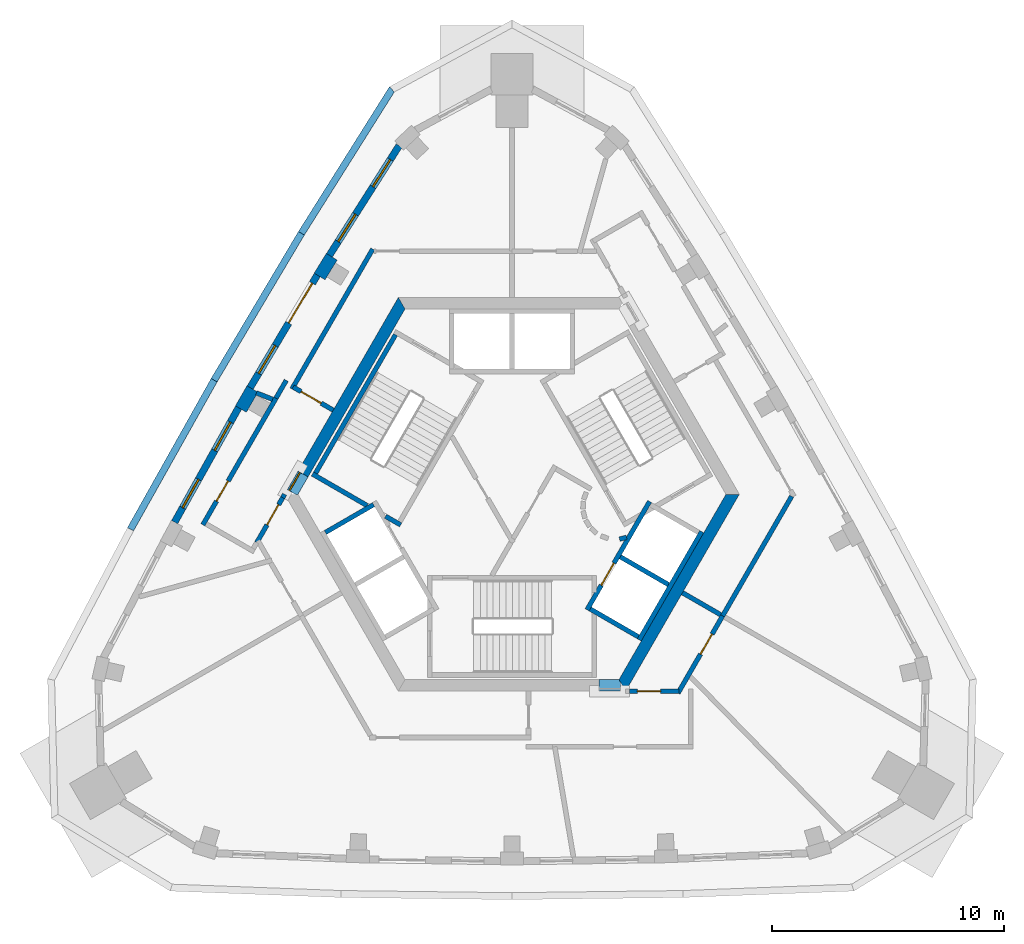
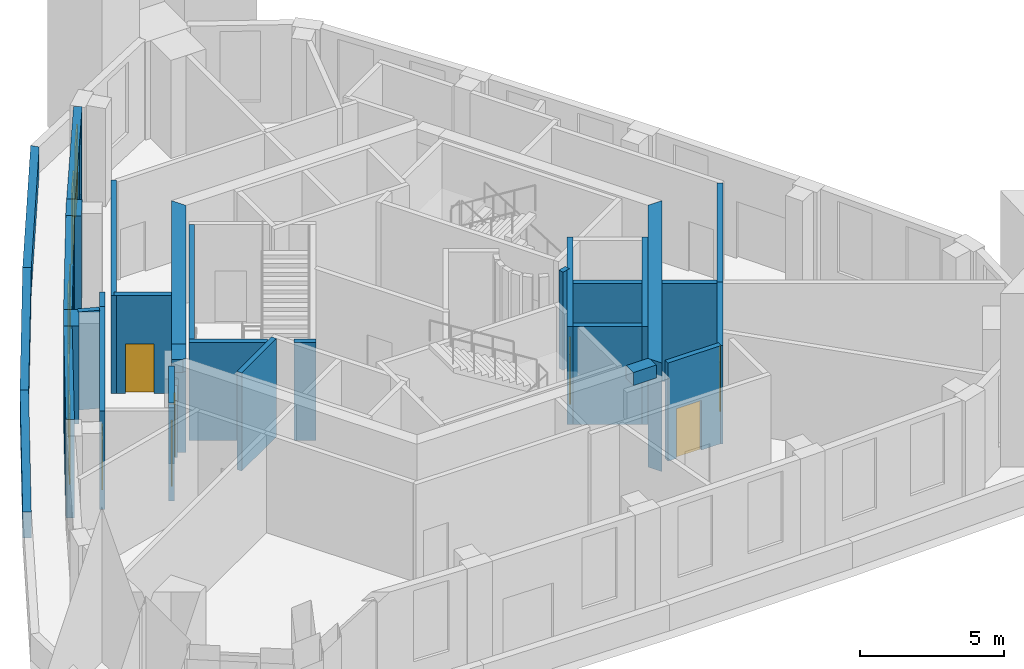
# One storey, part 3 of 7: 33 walls, 8 doors, 5 windows, 13 openings.
"""IFC4 building model written with IfcOpenShell, lengths in metres."""

import ifcopenshell
import ifcopenshell.guid

model = None  # the IFC model being written
_history = None  # IfcOwnerHistory: only IFC2X3 demands one
_inside = {}  # id of a spatial element -> (the spatial element, [elements in it])
_under = {}  # id of a project, library or spatial element -> (it, [spatial elements below it])
_declared = {}  # id of a project -> (the project, [libraries it declares])
_typed = {}  # id of a type object -> (the type object, [elements of that type])
_made_of = {}  # id of a material, layer set ... -> (it, [elements and type objects made of it])


def new_model(schema):
    """Start an empty IFC model of exactly this schema.

    Asked for "IFC4X3", IfcOpenShell would pick the latest addendum, in which some entities
    have other attributes; the version numbers below select the first issue.
    IFC2X3 requires an IfcOwnerHistory on every rooted entity: one is made here for all.
    """
    global model, _history
    if schema == "IFC4X3":
        model = ifcopenshell.file(schema_version=(4, 3, 0, 0))
    else:
        model = ifcopenshell.file(schema=schema)
    _inside.clear()
    _under.clear()
    _declared.clear()
    _typed.clear()
    _made_of.clear()
    _history = None
    if model.schema == "IFC2X3":
        org = make("IfcOrganization", Name="unknown")
        user = make(
            "IfcPersonAndOrganization",
            ThePerson=make("IfcPerson", FamilyName="unknown"),
            TheOrganization=org,
        )
        app = make(
            "IfcApplication",
            ApplicationDeveloper=org,
            Version="unknown",
            ApplicationFullName="unknown",
            ApplicationIdentifier="unknown",
        )
        _history = make(
            "IfcOwnerHistory",
            OwningUser=user,
            OwningApplication=app,
            ChangeAction="ADDED",
            CreationDate=0,
        )
    return model


def make(cls, **values):
    """One entity of the class cls with the attributes given. An attribute that is None is left unset."""
    return model.create_entity(
        cls, **{name: value for name, value in values.items() if value is not None}
    )


def rooted(cls, **values):
    """An entity with a GlobalId (a new one), such as an element, a storey or a relation."""
    return make(cls, GlobalId=ifcopenshell.guid.new(), OwnerHistory=_history, **values)


def si_unit(unit_type, name, prefix=None):
    """IfcSIUnit, for example si_unit("LENGTHUNIT", "METRE", prefix="MILLI")."""
    return make("IfcSIUnit", UnitType=unit_type, Prefix=prefix, Name=name)


def assignment(units):
    """IfcUnitAssignment: the units of a project."""
    return None if units is None else make("IfcUnitAssignment", Units=units)


def point(xyz):
    """IfcCartesianPoint."""
    return None if xyz is None else make("IfcCartesianPoint", Coordinates=xyz)


def direction(xyz):
    """IfcDirection."""
    return None if xyz is None else make("IfcDirection", DirectionRatios=xyz)


def frame(location, z_axis=None, x_axis=None):
    """IfcAxis2Placement3D, a coordinate frame: its origin and axes. An axis left out is left unset."""
    return make(
        "IfcAxis2Placement3D",
        Location=point(location),
        Axis=direction(z_axis),
        RefDirection=direction(x_axis),
    )


def frame_2d(location, x_axis=None):
    """IfcAxis2Placement2D, a coordinate frame in the plane: its origin and x axis."""
    return make(
        "IfcAxis2Placement2D", Location=point(location), RefDirection=direction(x_axis)
    )


def origin():
    """The frame at (0, 0, 0) with its axes left unset."""
    return frame((0.0, 0.0, 0.0))


def place(relative_to, where):
    """IfcLocalPlacement: puts the frame where relative to a parent placement (None: the world)."""
    return make(
        "IfcLocalPlacement", PlacementRelTo=relative_to, RelativePlacement=where
    )


def context(
    kind, dimensions, precision=None, world=None, true_north=None, identifier=None
):
    """IfcGeometricRepresentationContext, for example the 3D "Model" context."""
    return make(
        "IfcGeometricRepresentationContext",
        ContextIdentifier=identifier,
        ContextType=kind,
        CoordinateSpaceDimension=dimensions,
        Precision=precision,
        WorldCoordinateSystem=world,
        TrueNorth=true_north,
    )


def subcontext(parent, identifier, kind, view, scale=None):
    """IfcGeometricRepresentationSubContext, for example "Body" below "Model"."""
    return make(
        "IfcGeometricRepresentationSubContext",
        ContextIdentifier=identifier,
        ContextType=kind,
        ParentContext=parent,
        TargetScale=scale,
        TargetView=view,
    )


def project(units=None, contexts=None):
    """IfcProject with its units and contexts."""
    return rooted(
        "IfcProject",
        Name="project",
        RepresentationContexts=contexts,
        UnitsInContext=assignment(units),
    )


def spatial(cls, under=None, at=None, **own):
    """A site, building, storey or space (cls), placed at a placement, below another one or the project."""
    s = rooted(cls, ObjectPlacement=at, **own)
    if under is not None:
        _under.setdefault(under.id(), (under, []))[1].append(s)
    return s


def polyline(points):
    """IfcPolyline through the points."""
    return make("IfcPolyline", Points=[point(p) for p in points])


def profile(cls, at=None, kind="AREA", **sizes):
    """A parametric profile (cls). Its sizes go by their IFC names, for example OverallWidth=200.0."""
    return make(cls, ProfileType=kind, Position=at, **sizes)


def rectangle(**sizes):
    """IfcRectangleProfileDef."""
    return profile("IfcRectangleProfileDef", **sizes)


def outline(outer, holes=None, kind="AREA"):
    """IfcArbitraryClosedProfileDef: a profile drawn as a closed curve; with holes, ...WithVoids."""
    if holes is None:
        return make("IfcArbitraryClosedProfileDef", ProfileType=kind, OuterCurve=outer)
    return make(
        "IfcArbitraryProfileDefWithVoids",
        ProfileType=kind,
        OuterCurve=outer,
        InnerCurves=holes,
    )


def extrude(swept, where, along, depth):
    """IfcExtrudedAreaSolid: the profile swept, set in the frame where, extruded along a direction by depth."""
    return make(
        "IfcExtrudedAreaSolid",
        SweptArea=swept,
        Position=where,
        ExtrudedDirection=direction(along),
        Depth=depth,
    )


def shape(context_of_items, identifier, shape_type, items):
    """IfcShapeRepresentation: the items that make up one representation, for example the "Body"."""
    return make(
        "IfcShapeRepresentation",
        ContextOfItems=context_of_items,
        RepresentationIdentifier=identifier,
        RepresentationType=shape_type,
        Items=items,
    )


def material(Name=None, Category=None):
    """IfcMaterial."""
    return make("IfcMaterial", Name=Name, Category=Category)


def layer(
    of_material, thickness, ventilated=None, Name=None, Category=None, Priority=None
):
    """IfcMaterialLayer: one layer of a wall or slab, of a material (None: an air gap)."""
    return make(
        "IfcMaterialLayer",
        Material=of_material,
        LayerThickness=thickness,
        IsVentilated=ventilated,
        Name=Name,
        Category=Category,
        Priority=Priority,
    )


def layer_set(layers, Name=None):
    """IfcMaterialLayerSet."""
    return make("IfcMaterialLayerSet", MaterialLayers=layers, LayerSetName=Name)


def made_of(thing, what):
    """Note that an element or type object is made of a material, layer set ...; save() writes the relation."""
    if what is not None:
        _made_of.setdefault(what.id(), (what, []))[1].append(thing)
    return thing


def type_object(cls, material=None, **own):
    """A type object (cls), such as IfcWallType, which elements share."""
    return made_of(rooted(cls, **own), material)


def element(
    cls,
    number,
    at=None,
    inside=None,
    cuts=None,
    type_object=None,
    material=None,
    context=None,
    identifier="Body",
    shape_type=None,
    held_by="IfcProductDefinitionShape",
    body=None,
    shapes=None,
    **own,
):
    """One element of the class cls, such as IfcWall. Its Tag is "e" and its number.

    at: its placement. inside: the storey or other place that contains it. cuts: it is an
    opening in that element (IfcRelVoidsElement). A single representation is given by context,
    identifier, shape_type and body (its items); several are given by shapes. held_by: the class
    of the entity that holds the representations. save() writes the other relations.
    """
    e = rooted(cls, Tag="e%d" % number, ObjectPlacement=at, **own)
    if body is not None:
        shapes = [shape(context, identifier, shape_type, body)]
    if shapes is not None:
        e.Representation = make(held_by, Representations=shapes)
    if inside is not None:
        _inside.setdefault(inside.id(), (inside, []))[1].append(e)
    if cuts is not None:
        rooted(
            "IfcRelVoidsElement", RelatingBuildingElement=cuts, RelatedOpeningElement=e
        )
    if type_object is not None:
        _typed.setdefault(type_object.id(), (type_object, []))[1].append(e)
    return made_of(e, material)


def fill(opening, filler):
    """IfcRelFillsElement: the door or window that sits in an opening."""
    return rooted(
        "IfcRelFillsElement",
        RelatingOpeningElement=opening,
        RelatedBuildingElement=filler,
    )


def aggregate(whole, parts):
    """IfcRelAggregates: a whole, such as a stair, and the parts it consists of."""
    return rooted("IfcRelAggregates", RelatingObject=whole, RelatedObjects=parts)


def save(model, path):
    """Write the relations noted so far, then the file.

    IfcRelAggregates (storeys below a building ...), IfcRelContainedInSpatialStructure (elements
    in a storey), IfcRelDefinesByType, IfcRelAssociatesMaterial and IfcRelDeclares: one each for
    every whole, place, type object, material and project.
    """
    for whole, parts in _under.values():
        aggregate(whole, parts)
    for where, things in _inside.values():
        rooted(
            "IfcRelContainedInSpatialStructure",
            RelatedElements=things,
            RelatingStructure=where,
        )
    for kind, things in _typed.values():
        rooted("IfcRelDefinesByType", RelatedObjects=things, RelatingType=kind)
    for what, things in _made_of.values():
        rooted("IfcRelAssociatesMaterial", RelatedObjects=things, RelatingMaterial=what)
    for by, libraries in _declared.values():
        rooted("IfcRelDeclares", RelatingContext=by, RelatedDefinitions=libraries)
    model.write(path)


model = new_model("IFC4")

# Units and contexts
model_context = context("Model", 3, precision=1e-05, world=origin(), true_north=direction((0.0, 1.0)))
body_context = subcontext(model_context, "Body", "Model", "MODEL_VIEW")
ifc_project = project(units=[si_unit("LENGTHUNIT", "METRE"), si_unit("AREAUNIT", "SQUARE_METRE"), si_unit("VOLUMEUNIT", "CUBIC_METRE"), si_unit("PLANEANGLEUNIT", "RADIAN"), si_unit("MASSUNIT", "GRAM", prefix="KILO")], contexts=[model_context])

# Site, building, storey
site_placement = place(None, origin())
site = spatial("IfcSite", under=ifc_project, at=site_placement, CompositionType="ELEMENT")
building_placement = place(site_placement, origin())
building = spatial("IfcBuilding", under=site, at=building_placement, Name="Entoto Arch Interchange Tower", CompositionType="ELEMENT")
storey_placement = place(building_placement, frame((0.0, 0.0, 349.39990234375)))
storey = spatial("IfcBuildingStorey", under=building, at=storey_placement, Name="L82", CompositionType="ELEMENT", Elevation=349.39990234375)

# Wall, opening, door
ifc_material_1 = material(Name="Reinforced concrete C40/50", Category="concrete")
ifc_layer_1 = layer(ifc_material_1, 0.199951171875)
ifc_layer_set_1 = layer_set([ifc_layer_1], Name="Reinforced concrete C40/50")
wall_type_1 = type_object("IfcWallType", Name="CORE GAP INFILL WALL", PredefinedType="PARTITIONING", material=ifc_layer_set_1)
wall_1_placement = place(storey_placement, frame((-9.14990234375, 3.451904296875, 0.0), z_axis=(0.0, 0.0, 1.0), x_axis=(-0.500079945886, -0.865979242085, 0.0)))
wall_1 = element("IfcWall", 1, at=wall_1_placement, inside=storey, type_object=wall_type_1, Name="wall:L82:gap3", PredefinedType="PARTITIONING", context=body_context, shape_type="SweptSolid", body=[
    extrude(rectangle(XDim=0.926025390625, YDim=0.199951171875, at=frame_2d((0.462890625, 0.0))), origin(), (0.0, 0.0, 1.0), 2.400146484375),
])
opening_1_placement = place(wall_1_placement, frame((0.01708984375, 0.0, 0.0)))
opening_1 = element("IfcOpeningElement", 2, at=opening_1_placement, cuts=wall_1, Name="Opening L82-D93", PredefinedType="OPENING", context=body_context, shape_type="SweptSolid", body=[
    extrude(rectangle(XDim=0.89990234375, YDim=2.10009765625, at=frame_2d((0.449951171875, 1.050048828125))), frame((0.0, 0.10986328125, 0.0), z_axis=(0.0, -1.0, 0.0), x_axis=(1.0, 0.0, 0.0)), (0.0, 0.0, 1.0), 0.219970703125),
])
ifc_material_2 = material(Name="Fire-rated Steel S235 door and frame", Category="steel")
door_type_1 = type_object("IfcDoorType", Name="DOOR FD-09 900x2100", OperationType="SINGLE_SWING_LEFT", PredefinedType="DOOR", material=ifc_material_2)
door_1_placement = place(opening_1_placement, origin())
door_1 = element("IfcDoor", 3, at=door_1_placement, inside=storey, type_object=door_type_1, Name="door:L82:gap3", OperationType="SINGLE_SWING_LEFT", OverallHeight=2.10009765625, OverallWidth=0.89990234375, PredefinedType="DOOR", context=body_context, shape_type="SweptSolid", body=[
    extrude(rectangle(XDim=0.89990234375, YDim=2.10009765625, at=frame_2d((0.449951171875, 1.050048828125))), frame((0.0, 0.02490234375, 0.0), z_axis=(0.0, -1.0, 0.0), x_axis=(1.0, 0.0, 0.0)), (0.0, 0.0, 1.0), 0.050048828125),
])
fill(opening_1, door_1)

# Walls
ifc_material_3 = material(Name="Concrete C40/50", Category="concrete")
ifc_layer_2 = layer(ifc_material_3, 0.5)
ifc_layer_set_2 = layer_set([ifc_layer_2], Name="Concrete C40/50")
wall_type_2 = type_object("IfcWallType", Name="Core wall 500 C40/50", PredefinedType="SHEAR", material=ifc_layer_set_2)
wall_2_placement = place(storey_placement, frame((0.0, 0.0, -0.449951171875)))
element("IfcWall", 4, at=wall_2_placement, inside=storey, type_object=wall_type_2, Name="Core wall NW L82", PredefinedType="SHEAR", context=body_context, shape_type="SweptSolid", body=[
    extrude(outline(polyline([(-9.236083984375, 3.501953125), (-8.802978515625, 3.2529296875), (-4.618896484375, 10.5), (-4.906982421875, 11.0), (-9.236083984375, 3.501953125)])), origin(), (0.0, 0.0, 1.0), 4.60009765625),
])
wall_3_placement = place(storey_placement, frame((0.0, 0.0, 3.60009765625)))
element("IfcWall", 5, at=wall_3_placement, inside=storey, type_object=wall_type_2, Name="Core wall lintel NW L82", PredefinedType="SHEAR", context=body_context, shape_type="SweptSolid", body=[
    extrude(outline(polyline([(-9.699951171875, 2.699951171875), (-9.35400390625, 2.5), (-9.238037109375, 2.5), (-8.802978515625, 3.2529296875), (-9.236083984375, 3.501953125), (-9.699951171875, 2.699951171875)])), origin(), (0.0, 0.0, 1.0), 0.550048828125),
])
wall_4_placement = place(storey_placement, frame((0.0, 0.0, 3.60009765625)))
element("IfcWall", 6, at=wall_4_placement, inside=storey, type_object=wall_type_2, Name="Core wall lintel S L82", PredefinedType="SHEAR", context=body_context, shape_type="SweptSolid", body=[
    extrude(outline(polyline([(4.676025390625, -6.0), (4.676025390625, -5.60009765625), (4.618896484375, -5.5), (3.75, -5.5), (3.75, -6.0), (4.676025390625, -6.0)])), origin(), (0.0, 0.0, 1.0), 0.550048828125),
])
wall_5_placement = place(storey_placement, frame((0.0, 0.0, -0.449951171875)))
element("IfcWall", 7, at=wall_5_placement, inside=storey, type_object=wall_type_2, Name="Core wall SE L82", PredefinedType="SHEAR", context=body_context, shape_type="SweptSolid", body=[
    extrude(outline(polyline([(4.906982421875, -6.0), (9.81494140625, 2.5), (9.238037109375, 2.5), (4.618896484375, -5.5), (4.906982421875, -6.0)])), origin(), (0.0, 0.0, 1.0), 4.60009765625),
])
ifc_layer_3 = layer(ifc_material_3, 0.199951171875)
ifc_layer_set_3 = layer_set([ifc_layer_3], Name="Concrete C40/50")
wall_type_3 = type_object("IfcWallType", Name="LIFT SHAFT WALL 200", PredefinedType="STANDARD", material=ifc_layer_set_3)
wall_6_placement = place(storey_placement, frame((-5.97705078125, 2.052001953125, 0.0), z_axis=(0.0, 0.0, 1.0), x_axis=(-0.865973769406, -0.500089422704, 0.0)))
element("IfcWall", 8, at=wall_6_placement, inside=storey, type_object=wall_type_3, Name="Shaft wall SW1 cross 1", PredefinedType="STANDARD", context=body_context, shape_type="SweptSolid", body=[
    extrude(rectangle(XDim=2.3994140625, YDim=0.199951171875, at=frame_2d((1.19970703125, 0.0))), origin(), (0.0, 0.0, 1.0), 4.150146484375),
])

# Wall, opening, door
wall_7_placement = place(storey_placement, frame((3.239990234375, -2.488037109375, 0.0), z_axis=(0.0, 0.0, 1.0), x_axis=(0.500034260056, 0.866005622828, 0.0)))
wall_7 = element("IfcWall", 9, at=wall_7_placement, inside=storey, type_object=wall_type_3, Name="Shaft wall SE1 front", PredefinedType="STANDARD", context=body_context, shape_type="SweptSolid", body=[
    extrude(rectangle(XDim=5.3994140625, YDim=0.199951171875, at=frame_2d((2.69970703125, 0.0))), origin(), (0.0, 0.0, 1.0), 4.150146484375),
])
opening_2_placement = place(wall_7_placement, frame((1.22509765625, 0.0, 0.0)))
opening_2 = element("IfcOpeningElement", 10, at=opening_2_placement, cuts=wall_7, Name="Opening LD-FF1-L82", PredefinedType="OPENING", context=body_context, shape_type="SweptSolid", body=[
    extrude(rectangle(XDim=1.10009765625, YDim=2.10009765625, at=frame_2d((0.550048828125, 1.050048828125))), frame((0.0, 0.10986328125, 0.0), z_axis=(0.0, -1.0, 0.0), x_axis=(1.0, 0.0, 0.0)), (0.0, 0.0, 1.0), 0.219970703125),
])
ifc_material_4 = material(Name="Stainless steel 1.4301 panels", Category="steel")
door_type_2 = type_object("IfcDoorType", Name="LIFT LANDING DOOR LD1 1100x2100", OperationType="SLIDING_TO_LEFT", PredefinedType="DOOR", material=ifc_material_4)
door_2_placement = place(opening_2_placement, origin())
door_2 = element("IfcDoor", 11, at=door_2_placement, inside=storey, type_object=door_type_2, Name="Lift landing door FF1 L82", OperationType="SLIDING_TO_LEFT", OverallHeight=2.10009765625, OverallWidth=1.10009765625, PredefinedType="DOOR", context=body_context, shape_type="SweptSolid", body=[
    extrude(rectangle(XDim=1.10009765625, YDim=2.10009765625, at=frame_2d((0.550048828125, 1.050048828125))), frame((0.0, 0.02490234375, 0.0), z_axis=(0.0, -1.0, 0.0), x_axis=(1.0, 0.0, 0.0)), (0.0, 0.0, 1.0), 0.050048828125),
])
fill(opening_2, door_2)

# Walls
wall_8_placement = place(storey_placement, frame((5.491943359375, -3.7880859375, 0.0), z_axis=(0.0, 0.0, 1.0), x_axis=(0.500034260056, 0.866005622828, 0.0)))
element("IfcWall", 12, at=wall_8_placement, inside=storey, type_object=wall_type_3, Name="Shaft wall SE1 back", PredefinedType="STANDARD", context=body_context, shape_type="SweptSolid", body=[
    extrude(rectangle(XDim=5.3994140625, YDim=0.199951171875, at=frame_2d((2.69970703125, 0.0))), origin(), (0.0, 0.0, 1.0), 4.150146484375),
])
wall_9_placement = place(storey_placement, frame((3.376953125, -2.451904296875, 0.0), z_axis=(0.0, 0.0, 1.0), x_axis=(0.865955154139, -0.50012165622, 0.0)))
element("IfcWall", 13, at=wall_9_placement, inside=storey, type_object=wall_type_3, Name="Shaft wall SE1 cross 1", PredefinedType="STANDARD", context=body_context, shape_type="SweptSolid", body=[
    extrude(rectangle(XDim=2.39990234375, YDim=0.199951171875, at=frame_2d((1.199951171875, 0.0))), origin(), (0.0, 0.0, 1.0), 4.150146484375),
])
wall_10_placement = place(storey_placement, frame((4.677001953125, -0.199951171875, 0.0), z_axis=(0.0, 0.0, 1.0), x_axis=(0.865973769406, -0.500089422704, 0.0)))
element("IfcWall", 14, at=wall_10_placement, inside=storey, type_object=wall_type_3, Name="Shaft wall SE1 cross 2", PredefinedType="STANDARD", context=body_context, shape_type="SweptSolid", body=[
    extrude(rectangle(XDim=2.3994140625, YDim=0.199951171875, at=frame_2d((1.19970703125, 0.0))), origin(), (0.0, 0.0, 1.0), 4.150146484375),
])
ifc_material_5 = material(Name="Board-marked precast concrete C50/60", Category="concrete")
ifc_layer_4 = layer(ifc_material_5, 0.300048828125)
ifc_layer_set_4 = layer_set([ifc_layer_4], Name="Board-marked precast concrete C50/60")
wall_type_4 = type_object("IfcWallType", Name="PARAPET PRECAST 300", PredefinedType="PARAPET", material=ifc_layer_set_4)
wall_11_placement = place(storey_placement, origin())
element("IfcWall", 15, at=wall_11_placement, inside=storey, type_object=wall_type_4, Name="Setback roof parapet L82 13", PredefinedType="PARAPET", context=body_context, shape_type="SweptSolid", body=[
    extrude(outline(polyline([(-5.291015625, 20.094970703125), (-9.219970703125, 13.845947265625), (-8.964111328125, 13.68994140625), (-5.0791015625, 19.868896484375), (-5.291015625, 20.094970703125)])), origin(), (0.0, 0.0, 1.0), 1.10009765625),
])
wall_12_placement = place(storey_placement, origin())
element("IfcWall", 16, at=wall_12_placement, inside=storey, type_object=wall_type_4, Name="Setback roof parapet L82 14", PredefinedType="PARAPET", context=body_context, shape_type="SweptSolid", body=[
    extrude(outline(polyline([(-9.219970703125, 13.845947265625), (-12.989990234375, 7.5), (-12.72998046875, 7.35009765625), (-8.964111328125, 13.68994140625), (-9.219970703125, 13.845947265625)])), origin(), (0.0, 0.0, 1.0), 1.10009765625),
])
wall_13_placement = place(storey_placement, origin())
element("IfcWall", 17, at=wall_13_placement, inside=storey, type_object=wall_type_4, Name="Setback roof parapet L82 15", PredefinedType="PARAPET", context=body_context, shape_type="SweptSolid", body=[
    extrude(outline(polyline([(-12.989990234375, 7.5), (-16.60107421875, 1.06201171875), (-16.337890625, 0.9189453125), (-12.72998046875, 7.35009765625), (-12.989990234375, 7.5)])), origin(), (0.0, 0.0, 1.0), 1.10009765625),
])
ifc_material_6 = material(Name="Gypsum board partition on steel studs", Category="steel")
ifc_layer_5 = layer(ifc_material_6, 0.199951171875)
ifc_layer_set_5 = layer_set([ifc_layer_5], Name="Gypsum board partition on steel studs")
wall_type_5 = type_object("IfcWallType", Name="PARTITION 200", PredefinedType="PARTITIONING", material=ifc_layer_set_5)
wall_14_placement = place(storey_placement, frame((4.64404296875, 0.56396484375, 0.0), z_axis=(0.0, 0.0, 1.0), x_axis=(0.970004408322, 0.243087325534, 0.0)))
element("IfcWall", 18, at=wall_14_placement, inside=storey, type_object=wall_type_5, Name="wall:L82:p009", PredefinedType="PARTITIONING", context=body_context, shape_type="SweptSolid", body=[
    extrude(rectangle(XDim=0.312255859375, YDim=0.199951171875, at=frame_2d((0.15625, 0.0))), origin(), (0.0, 0.0, 1.0), 4.150146484375),
])

# Wall, opening, door
wall_15_placement = place(storey_placement, frame((9.093017578125, -2.75, 0.0), z_axis=(0.0, 0.0, 1.0), x_axis=(-0.500084415177, -0.865976661173, 0.0)))
wall_15 = element("IfcWall", 19, at=wall_15_placement, inside=storey, type_object=wall_type_5, Name="wall:L82:p020", PredefinedType="PARTITIONING", context=body_context, shape_type="SweptSolid", body=[
    extrude(rectangle(XDim=3.853271484375, YDim=0.199951171875, at=frame_2d((1.9267578125, 0.0))), origin(), (0.0, 0.0, 1.0), 4.150146484375),
])
opening_3_placement = place(wall_15_placement, frame((0.908935546875, 0.0, 0.0)))
opening_3 = element("IfcOpeningElement", 20, at=opening_3_placement, cuts=wall_15, Name="Opening L82-D05", PredefinedType="OPENING", context=body_context, shape_type="SweptSolid", body=[
    extrude(rectangle(XDim=1.0, YDim=2.10009765625, at=frame_2d((0.5, 1.050048828125))), frame((0.0, 0.10986328125, 0.0), z_axis=(0.0, -1.0, 0.0), x_axis=(1.0, 0.0, 0.0)), (0.0, 0.0, 1.0), 0.219970703125),
])
door_type_3 = type_object("IfcDoorType", Name="DOOR FD-10 1000x2100", OperationType="SINGLE_SWING_LEFT", PredefinedType="DOOR", material=ifc_material_2)
door_3_placement = place(opening_3_placement, origin())
door_3 = element("IfcDoor", 21, at=door_3_placement, inside=storey, type_object=door_type_3, Name="door:L82:05", OperationType="SINGLE_SWING_LEFT", OverallHeight=2.10009765625, OverallWidth=1.0, PredefinedType="DOOR", context=body_context, shape_type="SweptSolid", body=[
    extrude(rectangle(XDim=1.0, YDim=2.10009765625, at=frame_2d((0.5, 1.050048828125))), frame((0.0, 0.02490234375, 0.0), z_axis=(0.0, -1.0, 0.0), x_axis=(1.0, 0.0, 0.0)), (0.0, 0.0, 1.0), 0.050048828125),
])
fill(opening_3, door_3)

# Walls
wall_16_placement = place(storey_placement, frame((7.361083984375, -1.75, 0.0), z_axis=(0.0, 0.0, 1.0), x_axis=(0.865980106173, -0.500078449558, 0.0)))
element("IfcWall", 22, at=wall_16_placement, inside=storey, type_object=wall_type_5, Name="wall:L82:p021", PredefinedType="PARTITIONING", context=body_context, shape_type="SweptSolid", body=[
    extrude(rectangle(XDim=1.899658203125, YDim=0.199951171875, at=frame_2d((0.94970703125, 0.0))), origin(), (0.0, 0.0, 1.0), 4.150146484375),
])
wall_17_placement = place(storey_placement, frame((12.073974609375, 2.4130859375, 0.0), z_axis=(0.0, 0.0, 1.0), x_axis=(-0.500006035293, -0.866021919278, 0.0)))
element("IfcWall", 23, at=wall_17_placement, inside=storey, type_object=wall_type_5, Name="wall:L82:p032", PredefinedType="PARTITIONING", context=body_context, shape_type="SweptSolid", body=[
    extrude(rectangle(XDim=5.9619140625, YDim=0.199951171875, at=frame_2d((2.98095703125, 0.0))), origin(), (0.0, 0.0, 1.0), 4.150146484375),
])

# Wall, opening, door
wall_18_placement = place(storey_placement, frame((-9.449951171875, 7.132080078125, 0.0), z_axis=(0.0, 0.0, 1.0), x_axis=(0.866010750942, -0.50002537861, 0.0)))
wall_18 = element("IfcWall", 24, at=wall_18_placement, inside=storey, type_object=wall_type_5, Name="wall:L82:p039", PredefinedType="PARTITIONING", context=body_context, shape_type="SweptSolid", body=[
    extrude(rectangle(XDim=2.0, YDim=0.199951171875, at=frame_2d((1.0, 0.0))), origin(), (0.0, 0.0, 1.0), 4.150146484375),
])
opening_4_placement = place(wall_18_placement, frame((0.39990234375, 0.0, 0.0)))
opening_4 = element("IfcOpeningElement", 25, at=opening_4_placement, cuts=wall_18, Name="Opening L82-D11", PredefinedType="OPENING", context=body_context, shape_type="SweptSolid", body=[
    extrude(rectangle(XDim=1.0, YDim=2.10009765625, at=frame_2d((0.5, 1.050048828125))), frame((0.0, 0.10986328125, 0.0), z_axis=(0.0, -1.0, 0.0), x_axis=(1.0, 0.0, 0.0)), (0.0, 0.0, 1.0), 0.219970703125),
])
door_4_placement = place(opening_4_placement, origin())
door_4 = element("IfcDoor", 26, at=door_4_placement, inside=storey, type_object=door_type_3, Name="door:L82:11", OperationType="SINGLE_SWING_LEFT", OverallHeight=2.10009765625, OverallWidth=1.0, PredefinedType="DOOR", context=body_context, shape_type="SweptSolid", body=[
    extrude(rectangle(XDim=1.0, YDim=2.10009765625, at=frame_2d((0.5, 1.050048828125))), frame((0.0, 0.02490234375, 0.0), z_axis=(0.0, -1.0, 0.0), x_axis=(1.0, 0.0, 0.0)), (0.0, 0.0, 1.0), 0.050048828125),
])
fill(opening_4, door_4)

# Wall
wall_19_placement = place(storey_placement, frame((-9.81494140625, 2.5, 0.0), z_axis=(0.0, 0.0, 1.0), x_axis=(-0.5004692653, -0.865754303766, 0.0)))
element("IfcWall", 27, at=wall_19_placement, inside=storey, type_object=wall_type_5, Name="wall:L82:p040", PredefinedType="PARTITIONING", context=body_context, shape_type="SweptSolid", body=[
    extrude(rectangle(XDim=0.169677734375, YDim=0.199951171875, at=frame_2d((0.0849609375, 0.0))), origin(), (0.0, 0.0, 1.0), 2.400146484375),
])

# Wall, opening, door
wall_20_placement = place(storey_placement, frame((-13.345947265625, 1.18310546875, 0.0), z_axis=(0.0, 0.0, 1.0), x_axis=(0.49998814853, 0.866032246126, 0.0)))
wall_20 = element("IfcWall", 28, at=wall_20_placement, inside=storey, type_object=wall_type_5, Name="wall:L82:p043", PredefinedType="PARTITIONING", context=body_context, shape_type="SweptSolid", body=[
    extrude(rectangle(XDim=6.310302734375, YDim=0.199951171875, at=frame_2d((3.1552734375, 0.0))), origin(), (0.0, 0.0, 1.0), 4.150146484375),
])
opening_5_placement = place(wall_20_placement, frame((1.179931640625, 0.0, 0.0)))
opening_5 = element("IfcOpeningElement", 29, at=opening_5_placement, cuts=wall_20, Name="Opening L82-D13", PredefinedType="OPENING", context=body_context, shape_type="SweptSolid", body=[
    extrude(rectangle(XDim=1.0, YDim=2.10009765625, at=frame_2d((0.5, 1.050048828125))), frame((0.0, 0.10986328125, 0.0), z_axis=(0.0, -1.0, 0.0), x_axis=(1.0, 0.0, 0.0)), (0.0, 0.0, 1.0), 0.219970703125),
])
door_5_placement = place(opening_5_placement, origin())
door_5 = element("IfcDoor", 30, at=door_5_placement, inside=storey, type_object=door_type_3, Name="door:L82:13", OperationType="SINGLE_SWING_LEFT", OverallHeight=2.10009765625, OverallWidth=1.0, PredefinedType="DOOR", context=body_context, shape_type="SweptSolid", body=[
    extrude(rectangle(XDim=1.0, YDim=2.10009765625, at=frame_2d((0.5, 1.050048828125))), frame((0.0, 0.02490234375, 0.0), z_axis=(0.0, -1.0, 0.0), x_axis=(1.0, 0.0, 0.0)), (0.0, 0.0, 1.0), 0.050048828125),
])
fill(opening_5, door_5)

# Walls
wall_21_placement = place(storey_placement, frame((-10.19091796875, 6.64794921875, 0.0), z_axis=(0.0, 0.0, 1.0), x_axis=(0.49973828311, 0.866176453382, 0.0)))
element("IfcWall", 31, at=wall_21_placement, inside=storey, type_object=wall_type_5, Name="wall:L82:p044", PredefinedType="PARTITIONING", context=body_context, shape_type="SweptSolid", body=[
    extrude(rectangle(XDim=0.89013671875, YDim=0.199951171875, at=frame_2d((0.445068359375, 0.0))), origin(), (0.0, 0.0, 1.0), 4.150146484375),
])
wall_22_placement = place(storey_placement, frame((-9.5, 7.044921875, 0.0), z_axis=(0.0, 0.0, 1.0), x_axis=(0.499966812698, 0.866044563634, 0.0)))
element("IfcWall", 32, at=wall_22_placement, inside=storey, type_object=wall_type_5, Name="wall:L82:p045", PredefinedType="PARTITIONING", context=body_context, shape_type="SweptSolid", body=[
    extrude(rectangle(XDim=6.9765625, YDim=0.199951171875, at=frame_2d((3.48828125, 0.0))), origin(), (0.0, 0.0, 1.0), 4.150146484375),
])
wall_23_placement = place(storey_placement, frame((-11.033935546875, 6.8759765625, 0.0), z_axis=(0.0, 0.0, 1.0), x_axis=(0.929345991637, -0.369210005049, 0.0)))
element("IfcWall", 33, at=wall_23_placement, inside=storey, type_object=wall_type_5, Name="wall:L82:p049", PredefinedType="PARTITIONING", context=body_context, shape_type="SweptSolid", body=[
    extrude(rectangle(XDim=0.753173828125, YDim=0.199951171875, at=frame_2d((0.37646484375, 0.0))), origin(), (0.0, 0.0, 1.0), 4.150146484375),
])

# Wall, opening, door
wall_24_placement = place(storey_placement, frame((5.075927734375, -6.0, 0.0), z_axis=(0.0, 0.0, 1.0), x_axis=(1.0, 0.0, 0.0)))
wall_24 = element("IfcWall", 34, at=wall_24_placement, inside=storey, type_object=wall_type_5, Name="wall:L82:p013", PredefinedType="PARTITIONING", context=body_context, shape_type="SweptSolid", body=[
    extrude(rectangle(XDim=2.14013671875, YDim=0.199951171875, at=frame_2d((1.070068359375, 0.0))), origin(), (0.0, 0.0, 1.0), 4.150146484375),
])
opening_6_placement = place(wall_24_placement, frame((0.3359375, 0.0, 0.0)))
opening_6 = element("IfcOpeningElement", 35, at=opening_6_placement, cuts=wall_24, Name="Opening L82-D02", PredefinedType="OPENING", context=body_context, shape_type="SweptSolid", body=[
    extrude(rectangle(XDim=1.0, YDim=2.10009765625, at=frame_2d((0.5, 1.050048828125))), frame((0.0, 0.10986328125, 0.0), z_axis=(0.0, -1.0, 0.0), x_axis=(1.0, 0.0, 0.0)), (0.0, 0.0, 1.0), 0.219970703125),
])
door_6_placement = place(opening_6_placement, origin())
door_6 = element("IfcDoor", 36, at=door_6_placement, inside=storey, type_object=door_type_3, Name="door:L82:02", OperationType="SINGLE_SWING_RIGHT", OverallHeight=2.10009765625, OverallWidth=1.0, PredefinedType="DOOR", context=body_context, shape_type="SweptSolid", body=[
    extrude(rectangle(XDim=1.0, YDim=2.10009765625, at=frame_2d((0.5, 1.050048828125))), frame((0.0, 0.02490234375, 0.0), z_axis=(0.0, -1.0, 0.0), x_axis=(1.0, 0.0, 0.0)), (0.0, 0.0, 1.0), 0.050048828125),
])
fill(opening_6, door_6)

wall_25_placement = place(storey_placement, frame((-9.89990234375, 2.35302734375, 0.0), z_axis=(0.0, 0.0, 1.0), x_axis=(-0.500030632641, -0.866007717299, 0.0)))
wall_25 = element("IfcWall", 37, at=wall_25_placement, inside=storey, type_object=wall_type_5, Name="wall:L82:p040", PredefinedType="PARTITIONING", context=body_context, shape_type="SweptSolid", body=[
    extrude(rectangle(XDim=2.239990234375, YDim=0.199951171875, at=frame_2d((1.1201171875, 0.0))), origin(), (0.0, 0.0, 1.0), 4.150146484375),
])
opening_7_placement = place(wall_25_placement, frame((0.35107421875, 0.0, 0.0)))
opening_7 = element("IfcOpeningElement", 38, at=opening_7_placement, cuts=wall_25, Name="Opening L82-D12", PredefinedType="OPENING", context=body_context, shape_type="SweptSolid", body=[
    extrude(rectangle(XDim=1.0, YDim=2.10009765625, at=frame_2d((0.5, 1.050048828125))), frame((0.0, 0.10986328125, 0.0), z_axis=(0.0, -1.0, 0.0), x_axis=(1.0, 0.0, 0.0)), (0.0, 0.0, 1.0), 0.219970703125),
])
door_7_placement = place(opening_7_placement, origin())
door_7 = element("IfcDoor", 39, at=door_7_placement, inside=storey, type_object=door_type_3, Name="door:L82:12", OperationType="SINGLE_SWING_RIGHT", OverallHeight=2.10009765625, OverallWidth=1.0, PredefinedType="DOOR", context=body_context, shape_type="SweptSolid", body=[
    extrude(rectangle(XDim=1.0, YDim=2.10009765625, at=frame_2d((0.5, 1.050048828125))), frame((0.0, 0.02490234375, 0.0), z_axis=(0.0, -1.0, 0.0), x_axis=(1.0, 0.0, 0.0)), (0.0, 0.0, 1.0), 0.050048828125),
])
fill(opening_7, door_7)

# Walls
ifc_layer_6 = layer(ifc_material_3, 0.199951171875)
ifc_layer_set_6 = layer_set([ifc_layer_6], Name="Concrete C40/50")
wall_type_6 = type_object("IfcWallType", Name="STAIR ENCLOSURE WALL 200", PredefinedType="STANDARD", material=ifc_layer_set_6)
wall_26_placement = place(storey_placement, frame((-6.25, 2.010009765625, 0.0), z_axis=(0.0, 0.0, 1.0), x_axis=(-0.86611865017, 0.499838457731, 0.0)))
element("IfcWall", 40, at=wall_26_placement, inside=storey, type_object=wall_type_6, Name="Stair wall ST-NW far", PredefinedType="STANDARD", context=body_context, shape_type="SweptSolid", body=[
    extrude(rectangle(XDim=2.73291015625, YDim=0.199951171875, at=frame_2d((1.366455078125, 0.0))), origin(), (0.0, 0.0, 1.0), 4.150146484375),
])
wall_27_placement = place(storey_placement, frame((-4.805908203125, 1.176025390625, 0.0), z_axis=(0.0, 0.0, 1.0), x_axis=(-0.866558586415, 0.499075361355, 0.0)))
element("IfcWall", 41, at=wall_27_placement, inside=storey, type_object=wall_type_6, Name="Stair wall ST-NW far return", PredefinedType="STANDARD", context=body_context, shape_type="SweptSolid", body=[
    extrude(rectangle(XDim=0.75146484375, YDim=0.199951171875, at=frame_2d((0.375732421875, 0.0))), origin(), (0.0, 0.0, 1.0), 4.150146484375),
])
wall_28_placement = place(storey_placement, frame((-5.030029296875, 9.387939453125, 0.0), z_axis=(0.0, 0.0, 1.0), x_axis=(-0.499978703459, -0.866037698999, 0.0)))
element("IfcWall", 42, at=wall_28_placement, inside=storey, type_object=wall_type_6, Name="Stair wall ST-NW back", PredefinedType="STANDARD", context=body_context, shape_type="SweptSolid", body=[
    extrude(rectangle(XDim=6.900146484375, YDim=0.199951171875, at=frame_2d((3.4501953125, 0.0))), origin(), (0.0, 0.0, 1.0), 4.150146484375),
])

# Wall, openings, windows
ifc_material_7 = material(Name="Welded tuff (ignimbrite) cladding, warm buff", Category="masonry")
ifc_layer_7 = layer(ifc_material_7, 0.300048828125)
ifc_layer_set_7 = layer_set([ifc_layer_7], Name="Welded tuff (ignimbrite) cladding, warm buff")
wall_type_7 = type_object("IfcWallType", Name="STONE INFILL WALL 300", PredefinedType="STANDARD", material=ifc_layer_set_7)
wall_29_placement = place(storey_placement, frame((-4.875, 17.547119140625, 0.0), z_axis=(0.0, 0.0, 1.0), x_axis=(-0.536531689467, -0.84388017289, 0.0)))
wall_29 = element("IfcWall", 43, at=wall_29_placement, inside=storey, type_object=wall_type_7, Name="Facade wall NW-01 L82", PredefinedType="STANDARD", context=body_context, shape_type="SweptSolid", body=[
    extrude(rectangle(XDim=5.6064453125, YDim=0.300048828125, at=frame_2d((2.80322265625, 0.0))), origin(), (0.0, 0.0, 1.0), 4.150146484375),
])
opening_8_placement = place(wall_29_placement, frame((0.701904296875, 0.0, 0.89990234375)))
opening_8 = element("IfcOpeningElement", 44, at=opening_8_placement, cuts=wall_29, Name="Opening WK-B", PredefinedType="OPENING", context=body_context, shape_type="SweptSolid", body=[
    extrude(rectangle(XDim=1.39990234375, YDim=3.0, at=frame_2d((0.699951171875, 1.5))), frame((0.0, 0.16015625, 0.0), z_axis=(0.0, -1.0, 0.0), x_axis=(1.0, 0.0, 0.0)), (0.0, 0.0, 1.0), 0.320068359375),
])
opening_9_placement = place(wall_29_placement, frame((3.5048828125, 0.0, 0.89990234375)))
opening_9 = element("IfcOpeningElement", 45, at=opening_9_placement, cuts=wall_29, Name="Opening WK-B", PredefinedType="OPENING", context=body_context, shape_type="SweptSolid", body=[
    extrude(rectangle(XDim=1.39990234375, YDim=3.0, at=frame_2d((0.699951171875, 1.5))), frame((0.0, 0.16015625, 0.0), z_axis=(0.0, -1.0, 0.0), x_axis=(1.0, 0.0, 0.0)), (0.0, 0.0, 1.0), 0.320068359375),
])
ifc_material_8 = material(Name="Clear glass, low-e double glazed", Category="glass")
window_type = type_object("IfcWindowType", Name="WINDOW WK-B 1400x3000", PartitioningType="DOUBLE_PANEL_VERTICAL", PredefinedType="WINDOW", material=ifc_material_8)
window_1_placement = place(opening_8_placement, origin())
window_1 = element("IfcWindow", 46, at=window_1_placement, inside=storey, type_object=window_type, Name="Window WK-B NW-01 L82", OverallHeight=3.0, OverallWidth=1.39990234375, PartitioningType="SINGLE_PANEL", PredefinedType="WINDOW", context=body_context, shape_type="SweptSolid", body=[
    extrude(rectangle(XDim=1.39990234375, YDim=3.0, at=frame_2d((0.699951171875, 1.5))), frame((0.0, 0.030029296875, 0.0), z_axis=(0.0, -1.0, 0.0), x_axis=(1.0, 0.0, 0.0)), (0.0, 0.0, 1.0), 0.06005859375),
])
fill(opening_8, window_1)
window_2_placement = place(opening_9_placement, origin())
window_2 = element("IfcWindow", 47, at=window_2_placement, inside=storey, type_object=window_type, Name="Window WK-B NW-01 L82", OverallHeight=3.0, OverallWidth=1.39990234375, PartitioningType="SINGLE_PANEL", PredefinedType="WINDOW", context=body_context, shape_type="SweptSolid", body=[
    extrude(rectangle(XDim=1.39990234375, YDim=3.0, at=frame_2d((0.699951171875, 1.5))), frame((0.0, 0.030029296875, 0.0), z_axis=(0.0, -1.0, 0.0), x_axis=(1.0, 0.0, 0.0)), (0.0, 0.0, 1.0), 0.06005859375),
])
fill(opening_9, window_2)

# Wall, openings, door, window
wall_30_placement = place(storey_placement, frame((-8.406005859375, 11.966064453125, 0.0), z_axis=(0.0, 0.0, 1.0), x_axis=(-0.512115331419, -0.858916694055, 0.0)))
wall_30 = element("IfcWall", 48, at=wall_30_placement, inside=storey, type_object=wall_type_7, Name="Facade wall NW-02 L82", PredefinedType="STANDARD", context=body_context, shape_type="SweptSolid", body=[
    extrude(rectangle(XDim=5.66064453125, YDim=0.300048828125, at=frame_2d((2.830322265625, 0.0))), origin(), (0.0, 0.0, 1.0), 4.150146484375),
])
opening_10_placement = place(wall_30_placement, frame((0.4150390625, 0.0, 0.0)))
opening_10 = element("IfcOpeningElement", 49, at=opening_10_placement, cuts=wall_30, Name="Opening DT-NW-02-L82", PredefinedType="OPENING", context=body_context, shape_type="SweptSolid", body=[
    extrude(rectangle(XDim=2.0, YDim=2.39990234375, at=frame_2d((1.0, 1.199951171875))), frame((0.0, 0.16015625, 0.0), z_axis=(0.0, -1.0, 0.0), x_axis=(1.0, 0.0, 0.0)), (0.0, 0.0, 1.0), 0.320068359375),
])
opening_11_placement = place(wall_30_placement, frame((3.5458984375, 0.0, 0.89990234375)))
opening_11 = element("IfcOpeningElement", 50, at=opening_11_placement, cuts=wall_30, Name="Opening WK-B", PredefinedType="OPENING", context=body_context, shape_type="SweptSolid", body=[
    extrude(rectangle(XDim=1.39990234375, YDim=3.0, at=frame_2d((0.699951171875, 1.5))), frame((0.0, 0.16015625, 0.0), z_axis=(0.0, -1.0, 0.0), x_axis=(1.0, 0.0, 0.0)), (0.0, 0.0, 1.0), 0.320068359375),
])
ifc_material_9 = material(Name="Aluminium and clear glass, anodised", Category="aluminium")
door_type_4 = type_object("IfcDoorType", Name="TERRACE DOOR DT 2000x2400", OperationType="SLIDING_TO_LEFT", PredefinedType="DOOR", material=ifc_material_9)
door_8_placement = place(opening_10_placement, origin())
door_8 = element("IfcDoor", 51, at=door_8_placement, inside=storey, type_object=door_type_4, Name="Terrace door NW-02 L82", OperationType="SLIDING_TO_LEFT", OverallHeight=2.39990234375, OverallWidth=2.0, PredefinedType="DOOR", context=body_context, shape_type="SweptSolid", body=[
    extrude(rectangle(XDim=2.0, YDim=2.39990234375, at=frame_2d((1.0, 1.199951171875))), frame((0.0, 0.02490234375, 0.0), z_axis=(0.0, -1.0, 0.0), x_axis=(1.0, 0.0, 0.0)), (0.0, 0.0, 1.0), 0.050048828125),
])
fill(opening_10, door_8)
window_3_placement = place(opening_11_placement, origin())
window_3 = element("IfcWindow", 52, at=window_3_placement, inside=storey, type_object=window_type, Name="Window WK-B NW-02 L82", OverallHeight=3.0, OverallWidth=1.39990234375, PartitioningType="SINGLE_PANEL", PredefinedType="WINDOW", context=body_context, shape_type="SweptSolid", body=[
    extrude(rectangle(XDim=1.39990234375, YDim=3.0, at=frame_2d((0.699951171875, 1.5))), frame((0.0, 0.030029296875, 0.0), z_axis=(0.0, -1.0, 0.0), x_axis=(1.0, 0.0, 0.0)), (0.0, 0.0, 1.0), 0.06005859375),
])
fill(opening_11, window_3)

# Wall, openings, windows
wall_31_placement = place(storey_placement, frame((-11.803955078125, 6.239013671875, 0.0), z_axis=(0.0, 0.0, 1.0), x_axis=(-0.487863884296, -0.872919715896, 0.0)))
wall_31 = element("IfcWall", 53, at=wall_31_placement, inside=storey, type_object=wall_type_7, Name="Facade wall NW-03 L82", PredefinedType="STANDARD", context=body_context, shape_type="SweptSolid", body=[
    extrude(rectangle(XDim=5.661376953125, YDim=0.300048828125, at=frame_2d((2.83056640625, 0.0))), origin(), (0.0, 0.0, 1.0), 4.150146484375),
])
opening_12_placement = place(wall_31_placement, frame((0.715087890625, 0.0, 0.89990234375)))
opening_12 = element("IfcOpeningElement", 54, at=opening_12_placement, cuts=wall_31, Name="Opening WK-B", PredefinedType="OPENING", context=body_context, shape_type="SweptSolid", body=[
    extrude(rectangle(XDim=1.39990234375, YDim=3.0, at=frame_2d((0.699951171875, 1.5))), frame((0.0, 0.16015625, 0.0), z_axis=(0.0, -1.0, 0.0), x_axis=(1.0, 0.0, 0.0)), (0.0, 0.0, 1.0), 0.320068359375),
])
opening_13_placement = place(wall_31_placement, frame((3.5458984375, 0.0, 0.89990234375)))
opening_13 = element("IfcOpeningElement", 55, at=opening_13_placement, cuts=wall_31, Name="Opening WK-B", PredefinedType="OPENING", context=body_context, shape_type="SweptSolid", body=[
    extrude(rectangle(XDim=1.39990234375, YDim=3.0, at=frame_2d((0.699951171875, 1.5))), frame((0.0, 0.16015625, 0.0), z_axis=(0.0, -1.0, 0.0), x_axis=(1.0, 0.0, 0.0)), (0.0, 0.0, 1.0), 0.320068359375),
])
window_4_placement = place(opening_12_placement, origin())
window_4 = element("IfcWindow", 56, at=window_4_placement, inside=storey, type_object=window_type, Name="Window WK-B NW-03 L82", OverallHeight=3.0, OverallWidth=1.39990234375, PartitioningType="SINGLE_PANEL", PredefinedType="WINDOW", context=body_context, shape_type="SweptSolid", body=[
    extrude(rectangle(XDim=1.39990234375, YDim=3.0, at=frame_2d((0.699951171875, 1.5))), frame((0.0, 0.030029296875, 0.0), z_axis=(0.0, -1.0, 0.0), x_axis=(1.0, 0.0, 0.0)), (0.0, 0.0, 1.0), 0.06005859375),
])
fill(opening_12, window_4)
window_5_placement = place(opening_13_placement, origin())
window_5 = element("IfcWindow", 57, at=window_5_placement, inside=storey, type_object=window_type, Name="Window WK-B NW-03 L82", OverallHeight=3.0, OverallWidth=1.39990234375, PartitioningType="SINGLE_PANEL", PredefinedType="WINDOW", context=body_context, shape_type="SweptSolid", body=[
    extrude(rectangle(XDim=1.39990234375, YDim=3.0, at=frame_2d((0.699951171875, 1.5))), frame((0.0, 0.030029296875, 0.0), z_axis=(0.0, -1.0, 0.0), x_axis=(1.0, 0.0, 0.0)), (0.0, 0.0, 1.0), 0.06005859375),
])
fill(opening_13, window_5)

# Walls
ifc_layer_8 = layer(ifc_material_7, 0.550048828125)
ifc_layer_set_8 = layer_set([ifc_layer_8], Name="Welded tuff (ignimbrite) cladding, warm buff")
wall_type_8 = type_object("IfcWallType", Name="STONE PIER CLADDING 550", PredefinedType="STANDARD", material=ifc_layer_set_8)
wall_32_placement = place(storey_placement, frame((-7.781982421875, 12.7548828125, 0.0), z_axis=(0.0, 0.0, 1.0), x_axis=(-0.523906717346, -0.851775646235, 0.0)))
element("IfcWall", 58, at=wall_32_placement, inside=storey, type_object=wall_type_8, Name="Stone pier NW02 L82", PredefinedType="STANDARD", context=body_context, shape_type="SweptSolid", body=[
    extrude(rectangle(XDim=1.0, YDim=0.550048828125, at=frame_2d((0.5, 0.0))), origin(), (0.0, 0.0, 1.0), 4.150146484375),
])
wall_33_placement = place(storey_placement, frame((-11.202880859375, 7.0458984375, 0.0), z_axis=(0.0, 0.0, 1.0), x_axis=(-0.49960277677, -0.866254619292, 0.0)))
element("IfcWall", 59, at=wall_33_placement, inside=storey, type_object=wall_type_8, Name="Stone pier NW03 L82", PredefinedType="STANDARD", context=body_context, shape_type="SweptSolid", body=[
    extrude(rectangle(XDim=1.000732421875, YDim=0.550048828125, at=frame_2d((0.50048828125, 0.0))), origin(), (0.0, 0.0, 1.0), 4.150146484375),
])

save(model, "model.ifc")
